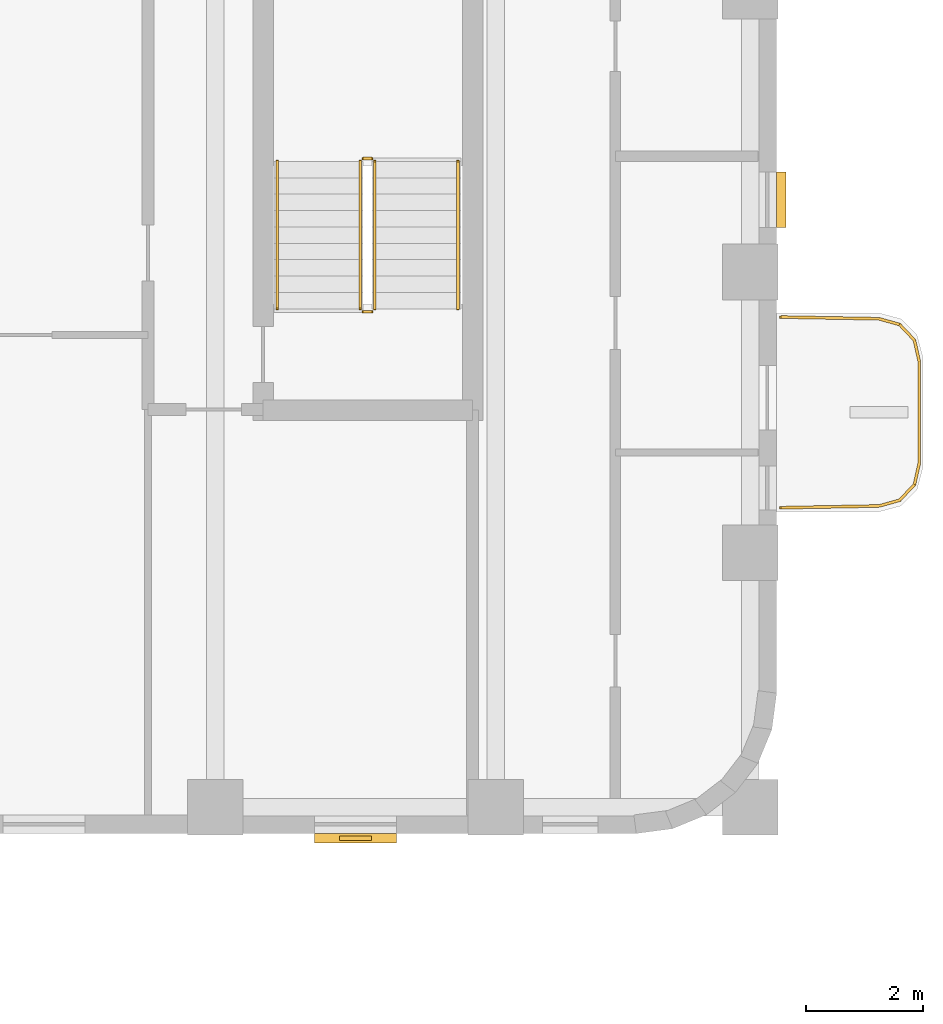
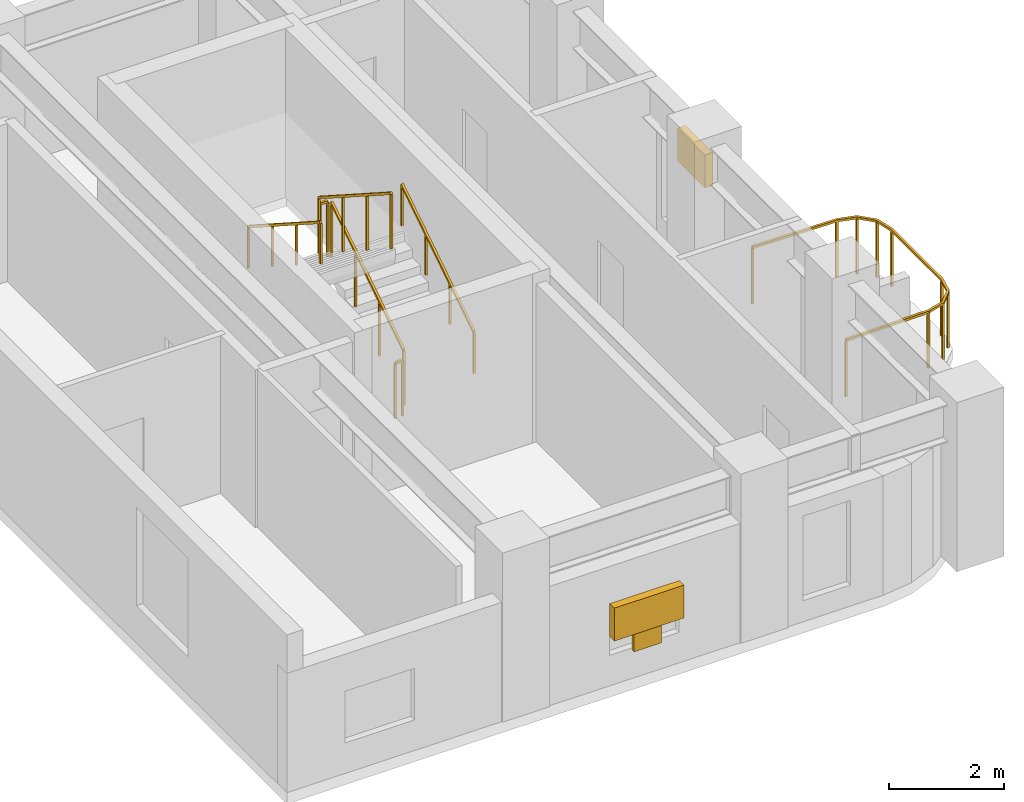
# One storey, part 10 of 11: 7 railings, 3 shading devices.
"""IFC4 building model written with IfcOpenShell, lengths in metres."""

from ifc_helpers import new_model, si_unit, direction, frame, origin, origin_2d, place, context, subcontext, project, spatial, rectangle, extrude, material, type_object, element, save


model = new_model("IFC4")

# Units and contexts
model_context = context("Model", 3, precision=1e-05, world=origin(), true_north=direction((0.0, 1.0)))
body_context = subcontext(model_context, "Body", "Model", "MODEL_VIEW")
ifc_project = project(units=[si_unit("LENGTHUNIT", "METRE"), si_unit("AREAUNIT", "SQUARE_METRE"), si_unit("VOLUMEUNIT", "CUBIC_METRE"), si_unit("PLANEANGLEUNIT", "RADIAN"), si_unit("MASSUNIT", "GRAM", prefix="KILO")], contexts=[model_context])

# Site, building, storey
site_placement = place(None, origin())
site = spatial("IfcSite", under=ifc_project, at=site_placement, CompositionType="ELEMENT")
building_placement = place(site_placement, origin())
building = spatial("IfcBuilding", under=site, at=building_placement, Name="Orvandelia Arch Residences", CompositionType="ELEMENT")
storey_placement = place(building_placement, frame((0.0, 0.0, 161.199951171875)))
storey = spatial("IfcBuildingStorey", under=building, at=storey_placement, Name="L42", CompositionType="ELEMENT", Elevation=161.199951171875)

# Railings
ifc_material_1 = material(Name="Marine-Grade Stainless Steel 316", Category="steel")
railing_type_1 = type_object("IfcRailingType", Name="GRD-BAL-1200", PredefinedType="BALUSTRADE", material=ifc_material_1)
railing_1_placement = place(storey_placement, frame((52.871826171875, 34.36962890625, 0.0)))
element("IfcRailing", 1, at=railing_1_placement, inside=storey, type_object=railing_type_1, Name="Safety Balustrade Guard GRD-L42-BAL-L42-E1-1", PredefinedType="BALUSTRADE", context=body_context, shape_type="SweptSolid", body=[
    extrude(rectangle(XDim=0.048095703125, YDim=0.048095703125, at=origin_2d()), frame((0.0, 0.0, 1.19580078125), z_axis=(0.999837384468, 0.018033430643, 0.0), x_axis=(-0.018033430643, 0.999837384468, 0.0)), (0.0, 0.0, 1.0), 1.6787109375),
    extrude(rectangle(XDim=0.048095703125, YDim=0.048095703125, at=origin_2d()), frame((1.678466796875, 0.0302734375, 1.19580078125), z_axis=(0.96348920644, 0.267747173792, 0.0), x_axis=(-0.267747173792, 0.96348920644, 0.0)), (0.0, 0.0, 1.0), 0.36572265625),
    extrude(rectangle(XDim=0.048095703125, YDim=0.048095703125, at=origin_2d()), frame((2.03076171875, 0.128173828125, 1.19580078125), z_axis=(0.687947031175, 0.725760898848, 0.0), x_axis=(-0.725760898848, 0.687947031175, 0.0)), (0.0, 0.0, 1.0), 0.367919921875),
    extrude(rectangle(XDim=0.048095703125, YDim=0.048095703125, at=origin_2d()), frame((2.283935546875, 0.395263671875, 1.19580078125), z_axis=(0.221225034864, 0.975222786828, 0.0), x_axis=(-0.975222786828, 0.221225034864, 0.0)), (0.0, 0.0, 1.0), 0.373046875),
    extrude(rectangle(XDim=0.048095703125, YDim=0.048095703125, at=origin_2d()), frame((2.366455078125, 0.759033203125, 1.19580078125), z_axis=(0.0, 1.0, 0.0), x_axis=(-1.0, 0.0, 0.0)), (0.0, 0.0, 1.0), 1.74267578125),
    extrude(rectangle(XDim=0.048095703125, YDim=0.048095703125, at=origin_2d()), frame((2.366455078125, 2.501708984375, 1.19580078125), z_axis=(-0.221225034864, 0.975222786828, 0.0), x_axis=(-0.975222786828, -0.221225034864, 0.0)), (0.0, 0.0, 1.0), 0.373046875),
    extrude(rectangle(XDim=0.048095703125, YDim=0.048095703125, at=origin_2d()), frame((2.283935546875, 2.865478515625, 1.19580078125), z_axis=(-0.687947031175, 0.725760898848, 0.0), x_axis=(-0.725760898848, -0.687947031175, 0.0)), (0.0, 0.0, 1.0), 0.367919921875),
    extrude(rectangle(XDim=0.048095703125, YDim=0.048095703125, at=origin_2d()), frame((2.03076171875, 3.132568359375, 1.19580078125), z_axis=(-0.96348920644, 0.267747173792, 0.0), x_axis=(-0.267747173792, -0.96348920644, 0.0)), (0.0, 0.0, 1.0), 0.36572265625),
    extrude(rectangle(XDim=0.048095703125, YDim=0.048095703125, at=origin_2d()), frame((1.678466796875, 3.23046875, 1.19580078125), z_axis=(-0.999837384468, 0.018033430643, 0.0), x_axis=(-0.018033430643, -0.999837384468, 0.0)), (0.0, 0.0, 1.0), 1.6787109375),
    extrude(rectangle(XDim=0.0419921875, YDim=0.0419921875, at=origin_2d()), origin(), (0.0, 0.0, 1.0), 1.171875),
    extrude(rectangle(XDim=0.0419921875, YDim=0.0419921875, at=origin_2d()), frame((1.678466796875, 0.0302734375, 0.0)), (0.0, 0.0, 1.0), 1.171875),
    extrude(rectangle(XDim=0.0419921875, YDim=0.0419921875, at=origin_2d()), frame((2.03076171875, 0.128173828125, 0.0)), (0.0, 0.0, 1.0), 1.171875),
    extrude(rectangle(XDim=0.0419921875, YDim=0.0419921875, at=origin_2d()), frame((2.283935546875, 0.395263671875, 0.0)), (0.0, 0.0, 1.0), 1.171875),
    extrude(rectangle(XDim=0.0419921875, YDim=0.0419921875, at=origin_2d()), frame((2.366455078125, 0.759033203125, 0.0)), (0.0, 0.0, 1.0), 1.171875),
    extrude(rectangle(XDim=0.0419921875, YDim=0.0419921875, at=origin_2d()), frame((2.366455078125, 2.501708984375, 0.0)), (0.0, 0.0, 1.0), 1.171875),
    extrude(rectangle(XDim=0.0419921875, YDim=0.0419921875, at=origin_2d()), frame((2.283935546875, 2.865478515625, 0.0)), (0.0, 0.0, 1.0), 1.171875),
    extrude(rectangle(XDim=0.0419921875, YDim=0.0419921875, at=origin_2d()), frame((2.03076171875, 3.132568359375, 0.0)), (0.0, 0.0, 1.0), 1.171875),
    extrude(rectangle(XDim=0.0419921875, YDim=0.0419921875, at=origin_2d()), frame((1.678466796875, 3.23046875, 0.0)), (0.0, 0.0, 1.0), 1.171875),
    extrude(rectangle(XDim=0.0419921875, YDim=0.0419921875, at=origin_2d()), frame((0.0, 3.2607421875, 0.0)), (0.0, 0.0, 1.0), 1.171875),
])
ifc_material_2 = material(Name="Brushed Stainless Steel 304", Category="steel")
railing_type_2 = type_object("IfcRailingType", Name="RL-STAIR-GD1120", PredefinedType="GUARDRAIL", material=ifc_material_2)
railing_2_placement = place(storey_placement, frame((45.929931640625, 37.77001953125, 0.179931640625)))
element("IfcRailing", 2, at=railing_2_placement, inside=storey, type_object=railing_type_2, Name="L42 ST-3 stair guard 1", PredefinedType="GUARDRAIL", context=body_context, shape_type="SweptSolid", body=[
    extrude(rectangle(XDim=0.048095703125, YDim=0.048095703125, at=origin_2d()), frame((0.0, 0.0, 1.17578125), z_axis=(0.0, 0.841162588446, 0.540782303519), x_axis=(-1.0, 0.0, 0.0)), (0.0, 0.0, 1.0), 2.995849609375),
    extrude(rectangle(XDim=0.0419921875, YDim=0.0419921875, at=origin_2d()), origin(), (0.0, 0.0, 1.0), 1.15185546875),
    extrude(rectangle(XDim=0.0419921875, YDim=0.0419921875, at=origin_2d()), frame((0.0, 0.840087890625, 0.5400390625)), (0.0, 0.0, 1.0), 1.15185546875),
    extrude(rectangle(XDim=0.0419921875, YDim=0.0419921875, at=origin_2d()), frame((0.0, 1.679931640625, 1.080078125)), (0.0, 0.0, 1.0), 1.15185546875),
    extrude(rectangle(XDim=0.0419921875, YDim=0.0419921875, at=origin_2d()), frame((0.0, 2.52001953125, 1.6201171875)), (0.0, 0.0, 1.0), 1.15185546875),
])
railing_3_placement = place(storey_placement, frame((45.8798828125, 40.340087890625, 1.800048828125)))
element("IfcRailing", 3, at=railing_3_placement, inside=storey, type_object=railing_type_2, Name="L42 ST-3 stair guard 2", PredefinedType="GUARDRAIL", context=body_context, shape_type="SweptSolid", body=[
    extrude(rectangle(XDim=0.048095703125, YDim=0.048095703125, at=origin_2d()), frame((0.0, 0.0, 1.17578125), z_axis=(-1.0, 0.0, 0.0), x_axis=(0.0, -1.0, 0.0)), (0.0, 0.0, 1.0), 0.14990234375),
    extrude(rectangle(XDim=0.0419921875, YDim=0.0419921875, at=origin_2d()), origin(), (0.0, 0.0, 1.0), 1.15185546875),
    extrude(rectangle(XDim=0.0419921875, YDim=0.0419921875, at=origin_2d()), frame((-0.14990234375, 0.0, 0.0)), (0.0, 0.0, 1.0), 1.15185546875),
])
railing_4_placement = place(storey_placement, frame((45.679931640625, 40.2900390625, 1.97998046875)))
element("IfcRailing", 4, at=railing_4_placement, inside=storey, type_object=railing_type_2, Name="L42 ST-3 stair guard 3", PredefinedType="GUARDRAIL", context=body_context, shape_type="SweptSolid", body=[
    extrude(rectangle(XDim=0.048095703125, YDim=0.048095703125, at=origin_2d()), frame((0.0, 0.0, 1.17578125), z_axis=(0.0, -0.841162588446, 0.540782303519), x_axis=(1.0, 0.0, 0.0)), (0.0, 0.0, 1.0), 2.995849609375),
    extrude(rectangle(XDim=0.0419921875, YDim=0.0419921875, at=origin_2d()), origin(), (0.0, 0.0, 1.0), 1.15185546875),
    extrude(rectangle(XDim=0.0419921875, YDim=0.0419921875, at=origin_2d()), frame((0.0, -0.840087890625, 0.5400390625)), (0.0, 0.0, 1.0), 1.15185546875),
    extrude(rectangle(XDim=0.0419921875, YDim=0.0419921875, at=origin_2d()), frame((0.0, -1.679931640625, 1.080078125)), (0.0, 0.0, 1.0), 1.15185546875),
    extrude(rectangle(XDim=0.0419921875, YDim=0.0419921875, at=origin_2d()), frame((0.0, -2.52001953125, 1.6201171875)), (0.0, 0.0, 1.0), 1.15185546875),
])
railing_5_placement = place(storey_placement, frame((45.8798828125, 37.719970703125, 0.0)))
element("IfcRailing", 5, at=railing_5_placement, inside=storey, type_object=railing_type_2, Name="L42 ST-3 stair guard 4", PredefinedType="GUARDRAIL", context=body_context, shape_type="SweptSolid", body=[
    extrude(rectangle(XDim=0.048095703125, YDim=0.048095703125, at=origin_2d()), frame((0.0, 0.0, 1.17578125), z_axis=(-1.0, 0.0, 0.0), x_axis=(0.0, -1.0, 0.0)), (0.0, 0.0, 1.0), 0.14990234375),
    extrude(rectangle(XDim=0.0419921875, YDim=0.0419921875, at=origin_2d()), origin(), (0.0, 0.0, 1.0), 1.15185546875),
    extrude(rectangle(XDim=0.0419921875, YDim=0.0419921875, at=origin_2d()), frame((-0.14990234375, 0.0, 0.0)), (0.0, 0.0, 1.0), 1.15185546875),
])
railing_type_3 = type_object("IfcRailingType", Name="RL-STAIR-HR920", PredefinedType="HANDRAIL", material=ifc_material_2)
railing_6_placement = place(storey_placement, frame((47.35009765625, 37.77001953125, 0.360107421875)))
element("IfcRailing", 6, at=railing_6_placement, inside=storey, type_object=railing_type_3, Name="L42 ST-3 stair handrail 1", PredefinedType="HANDRAIL", context=body_context, shape_type="SweptSolid", body=[
    extrude(rectangle(XDim=0.048095703125, YDim=0.048095703125, at=origin_2d()), frame((0.0, 0.0, 0.8759765625), z_axis=(0.0, 0.841199657755, 0.540724639528), x_axis=(-1.0, 0.0, 0.0)), (0.0, 0.0, 1.0), 2.995849609375),
    extrude(rectangle(XDim=0.0419921875, YDim=0.0419921875, at=origin_2d()), origin(), (0.0, 0.0, 1.0), 0.851806640625),
    extrude(rectangle(XDim=0.0419921875, YDim=0.0419921875, at=origin_2d()), frame((0.0, 0.840087890625, 0.5400390625)), (0.0, 0.0, 1.0), 0.851806640625),
    extrude(rectangle(XDim=0.0419921875, YDim=0.0419921875, at=origin_2d()), frame((0.0, 1.679931640625, 1.079833984375)), (0.0, 0.0, 1.0), 0.851806640625),
    extrude(rectangle(XDim=0.0419921875, YDim=0.0419921875, at=origin_2d()), frame((0.0, 2.52001953125, 1.619873046875)), (0.0, 0.0, 1.0), 0.851806640625),
])
railing_7_placement = place(storey_placement, frame((44.260009765625, 40.2900390625, 2.16015625)))
element("IfcRailing", 7, at=railing_7_placement, inside=storey, type_object=railing_type_3, Name="L42 ST-3 stair handrail 2", PredefinedType="HANDRAIL", context=body_context, shape_type="SweptSolid", body=[
    extrude(rectangle(XDim=0.048095703125, YDim=0.048095703125, at=origin_2d()), frame((0.0, 0.0, 0.8759765625), z_axis=(0.0, -0.841199657755, 0.540724639528), x_axis=(1.0, 0.0, 0.0)), (0.0, 0.0, 1.0), 2.995849609375),
    extrude(rectangle(XDim=0.0419921875, YDim=0.0419921875, at=origin_2d()), origin(), (0.0, 0.0, 1.0), 0.851806640625),
    extrude(rectangle(XDim=0.0419921875, YDim=0.0419921875, at=origin_2d()), frame((0.0, -0.840087890625, 0.5400390625)), (0.0, 0.0, 1.0), 0.851806640625),
    extrude(rectangle(XDim=0.0419921875, YDim=0.0419921875, at=origin_2d()), frame((0.0, -1.679931640625, 1.079833984375)), (0.0, 0.0, 1.0), 0.851806640625),
    extrude(rectangle(XDim=0.0419921875, YDim=0.0419921875, at=origin_2d()), frame((0.0, -2.52001953125, 1.619873046875)), (0.0, 0.0, 1.0), 0.851806640625),
])

# Shading devices
ifc_material_3 = material(Name="Anodised Champagne-Bronze Extruded Aluminium", Category="aluminium")
shading_device_type_1 = type_object("IfcShadingDeviceType", Name="SHD-JALOUSIE-SCREEN", PredefinedType="JALOUSIE", material=ifc_material_3)
shading_device_1_placement = place(storey_placement, frame((52.8798828125, 39.638916015625, 1.55029296875), z_axis=(0.0, 0.0, 1.0), x_axis=(0.0, -1.0, 0.0)))
element("IfcShadingDevice", 8, at=shading_device_1_placement, inside=storey, type_object=shading_device_type_1, Name="Bronze Jalousie Sun-Shade L42-002", PredefinedType="JALOUSIE", context=body_context, shape_type="SweptSolid", body=[
    extrude(rectangle(XDim=0.949951171875, YDim=0.159912109375, at=origin_2d()), origin(), (0.0, 0.0, 1.0), 0.699951171875),
])
shading_device_2_placement = place(storey_placement, frame((45.60009765625, 28.719970703125, 1.05029296875), z_axis=(0.0, 0.0, 1.0), x_axis=(-1.0, 0.0, 0.0)))
element("IfcShadingDevice", 9, at=shading_device_2_placement, inside=storey, type_object=shading_device_type_1, Name="Bronze Jalousie Sun-Shade L42-003", PredefinedType="JALOUSIE", context=body_context, shape_type="SweptSolid", body=[
    extrude(rectangle(XDim=1.39990234375, YDim=0.159912109375, at=origin_2d()), origin(), (0.0, 0.0, 1.0), 0.699951171875),
])
ifc_material_4 = material(Name="Marine-Grade Perforated Aluminium Storm Shutter", Category="aluminium")
shading_device_type_2 = type_object("IfcShadingDeviceType", Name="SHD-STORM-SHUTTER", PredefinedType="SHUTTER", material=ifc_material_4)
shading_device_3_placement = place(storey_placement, frame((45.60009765625, 28.719970703125, 0.64990234375), z_axis=(0.0, 0.0, 1.0), x_axis=(-1.0, 0.0, 0.0)))
element("IfcShadingDevice", 10, at=shading_device_3_placement, inside=storey, type_object=shading_device_type_2, Name="Operable Typhoon Storm Shutter L42-003", PredefinedType="SHUTTER", context=body_context, shape_type="SweptSolid", body=[
    extrude(rectangle(XDim=0.550048828125, YDim=0.080078125, at=origin_2d()), origin(), (0.0, 0.0, 1.0), 1.10009765625),
])

save(model, "model.ifc")
